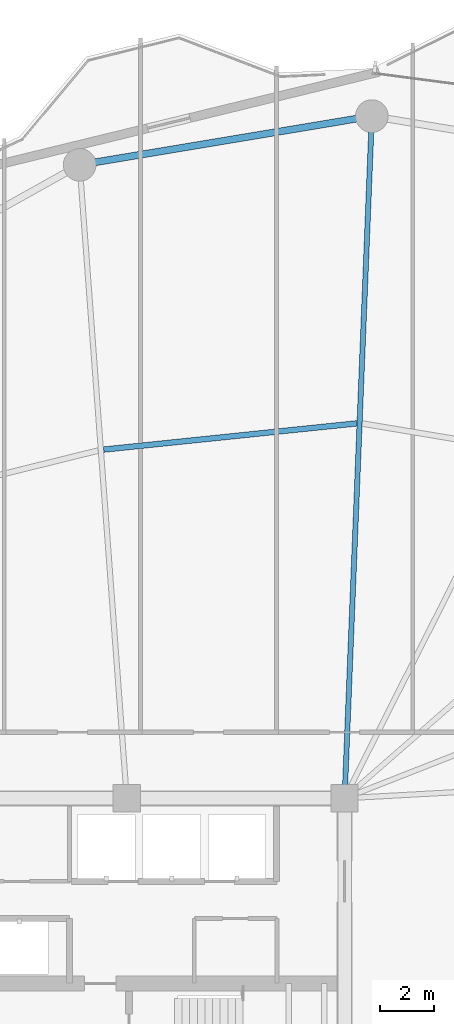
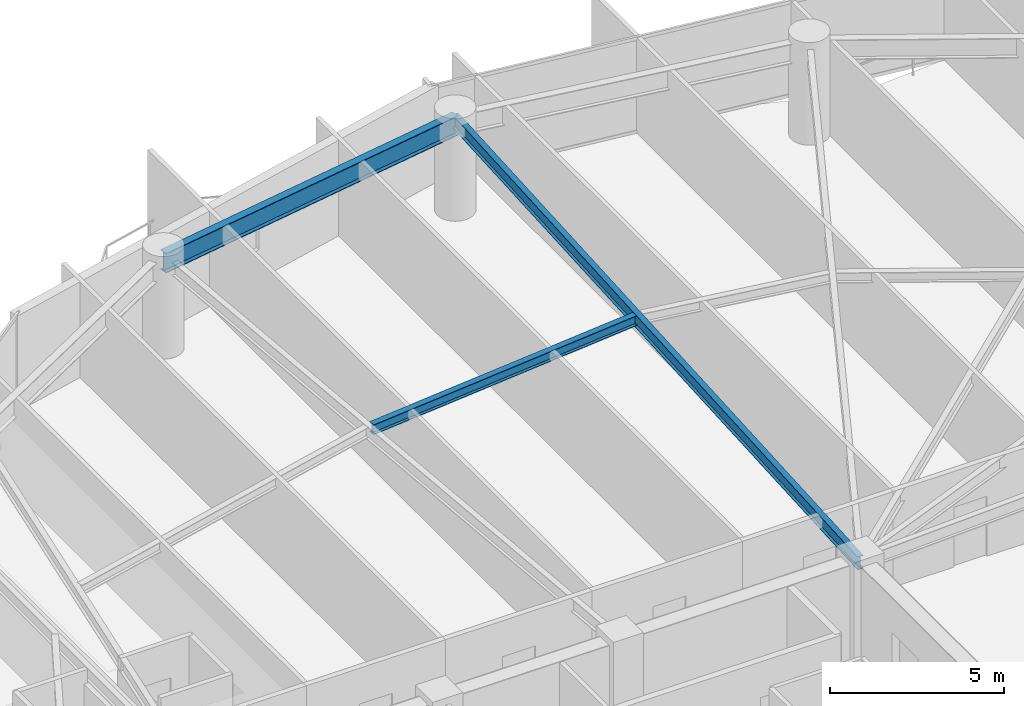
# One storey, part 19 of 30: 3 beams.
"""IFC4 building model written with IfcOpenShell, lengths in metres."""

from ifc_helpers import new_model, si_unit, direction, frame, origin, origin_2d, place, context, subcontext, project, spatial, i_section, extrude, material, material_profile, profile_set, type_object, element, save


model = new_model("IFC4")

# Units and contexts
model_context = context("Model", 3, precision=1e-05, world=origin(), true_north=direction((0.0, 1.0)))
body_context = subcontext(model_context, "Body", "Model", "MODEL_VIEW")
ifc_project = project(units=[si_unit("LENGTHUNIT", "METRE"), si_unit("AREAUNIT", "SQUARE_METRE"), si_unit("VOLUMEUNIT", "CUBIC_METRE"), si_unit("PLANEANGLEUNIT", "RADIAN"), si_unit("MASSUNIT", "GRAM", prefix="KILO")], contexts=[model_context])

# Site, building, storey
site_placement = place(None, origin())
site = spatial("IfcSite", under=ifc_project, at=site_placement, CompositionType="ELEMENT")
building_placement = place(site_placement, origin())
building = spatial("IfcBuilding", under=site, at=building_placement, Name="Kazevale Care Tower and Concert Hall", CompositionType="ELEMENT")
storey_placement = place(building_placement, frame((0.0, 0.0, 127.800048828125)))
storey = spatial("IfcBuildingStorey", under=building, at=storey_placement, Name="L33", CompositionType="ELEMENT", Elevation=127.800048828125)

# Beams
ifc_material = material(Name="Steel ASTM A572 Gr 50", Category="steel")
ifc_material_profile_1 = material_profile(ifc_material, i_section(OverallWidth=0.19091796875, OverallDepth=0.4599609375, WebThickness=0.010009765625, FlangeThickness=0.01611328125, at=origin_2d()), Name="W460x82")
ifc_profile_set_1 = profile_set([ifc_material_profile_1], Name="Steel ASTM A572 Gr 50")
beam_type_1 = type_object("IfcBeamType", Name="Radial Floor Beam W460x82", PredefinedType="BEAM", material=ifc_profile_set_1)
beam_1_placement = place(storey_placement, frame((44.0, 36.39990234375, 3.1298828125), z_axis=(0.039888311255, 0.99920414462, 0.0), x_axis=(-0.99920414462, 0.039888311255, 0.0)))
element("IfcBeam", 1, at=beam_1_placement, inside=storey, type_object=beam_type_1, Name="beam:L33:rad:05", PredefinedType="BEAM", context=body_context, shape_type="SweptSolid", body=[
    extrude(i_section(OverallWidth=0.19091796875, OverallDepth=0.4599609375, WebThickness=0.010009765625, FlangeThickness=0.01611328125, at=origin_2d()), origin(), (0.0, 0.0, 1.0), 25.070068359375),
])
ifc_material_profile_2 = material_profile(ifc_material, i_section(OverallWidth=0.205078125, OverallDepth=0.35400390625, WebThickness=0.009521484375, FlangeThickness=0.016845703125, at=origin_2d()), Name="W360x79")
ifc_profile_set_2 = profile_set([ifc_material_profile_2], Name="Steel ASTM A572 Gr 50")
beam_type_2 = type_object("IfcBeamType", Name="Secondary Floor Joist W360x79", PredefinedType="JOIST", material=ifc_profile_set_2)
beam_2_placement = place(storey_placement, frame((44.446044921875, 50.1669921875, 3.182861328125), z_axis=(-0.994674810104, -0.10306319491, 0.0), x_axis=(0.10306319491, -0.994674810104, 0.0)))
element("IfcBeam", 2, at=beam_2_placement, inside=storey, type_object=beam_type_2, Name="beam:L33:joist:05", PredefinedType="JOIST", context=body_context, shape_type="SweptSolid", body=[
    extrude(i_section(OverallWidth=0.205078125, OverallDepth=0.35400390625, WebThickness=0.009521484375, FlangeThickness=0.016845703125, at=origin_2d()), origin(), (0.0, 0.0, 1.0), 9.3427734375),
])
ifc_material_profile_3 = material_profile(ifc_material, i_section(OverallWidth=0.256103515625, OverallDepth=0.693115234375, WebThickness=0.014404296875, FlangeThickness=0.023681640625, at=origin_2d()), Name="W690x170")
ifc_profile_set_3 = profile_set([ifc_material_profile_3], Name="Steel ASTM A572 Gr 50")
beam_type_3 = type_object("IfcBeamType", Name="Waist Ring Beam W690x170", PredefinedType="BEAM", material=ifc_profile_set_3)
beam_3_placement = place(storey_placement, frame((45.0, 61.449951171875, 3.013427734375), z_axis=(-0.986368436187, -0.164551840139, 0.0), x_axis=(0.164551840139, -0.986368436187, 0.0)))
element("IfcBeam", 3, at=beam_3_placement, inside=storey, type_object=beam_type_3, Name="beam:L33:ring:05", PredefinedType="BEAM", context=body_context, shape_type="SweptSolid", body=[
    extrude(i_section(OverallWidth=0.256103515625, OverallDepth=0.693115234375, WebThickness=0.014404296875, FlangeThickness=0.023681640625, at=origin_2d()), origin(), (0.0, 0.0, 1.0), 10.878173828125),
])

save(model, "model.ifc")
